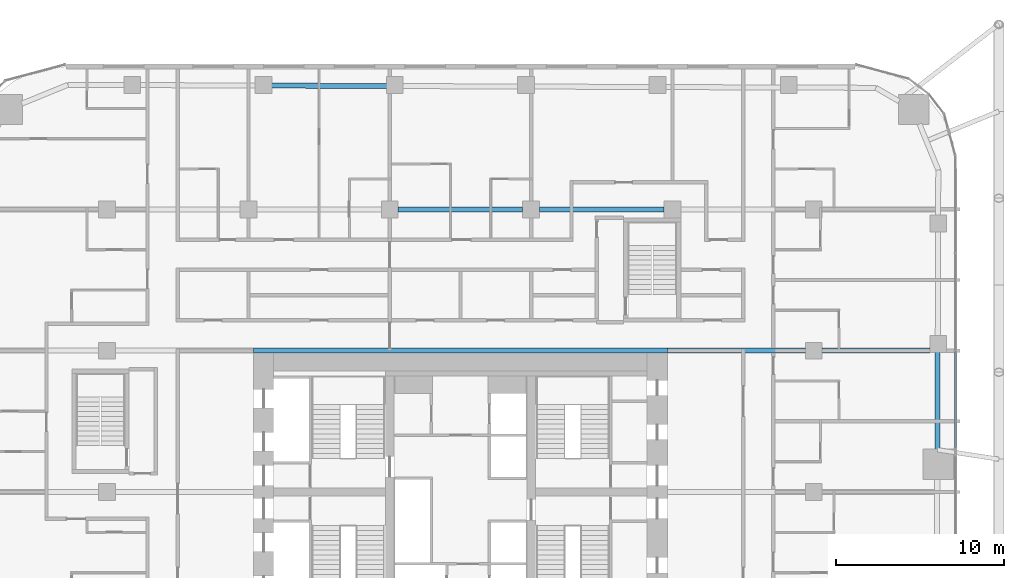
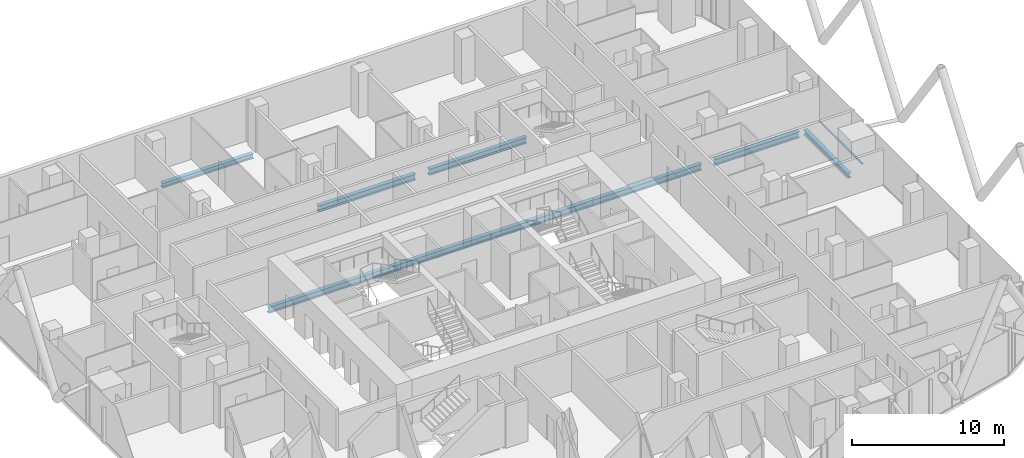
# One storey, part 11 of 38: 7 beams, 1 member, 1 element without a shape of its own.
"""IFC4 building model written with IfcOpenShell, lengths in metres."""

from ifc_helpers import new_model, si_unit, direction, frame, origin, origin_2d, place, context, subcontext, project, spatial, rectangle, i_section, extrude, material, layer, layer_set, material_profile, profile_set, type_object, element, aggregate, save


model = new_model("IFC4")

# Units and contexts
model_context = context("Model", 3, precision=1e-05, world=origin(), true_north=direction((0.0, 1.0)))
body_context = subcontext(model_context, "Body", "Model", "MODEL_VIEW")
ifc_project = project(units=[si_unit("LENGTHUNIT", "METRE"), si_unit("AREAUNIT", "SQUARE_METRE"), si_unit("VOLUMEUNIT", "CUBIC_METRE"), si_unit("PLANEANGLEUNIT", "RADIAN"), si_unit("MASSUNIT", "GRAM", prefix="KILO")], contexts=[model_context])

# Site, building, storey
site_placement = place(None, origin())
site = spatial("IfcSite", under=ifc_project, at=site_placement, CompositionType="ELEMENT")
building_placement = place(site_placement, origin())
building = spatial("IfcBuilding", under=site, at=building_placement, Name="Marenta Gate Hotel Tower", CompositionType="ELEMENT")
storey_placement = place(building_placement, frame((0.0, 0.0, 68.89990234375)))
storey = spatial("IfcBuildingStorey", under=building, at=storey_placement, Name="L15", CompositionType="ELEMENT", Elevation=68.89990234375)

# Beams
ifc_material_1 = material(Name="Steel S355", Category="steel")
ifc_material_profile_1 = material_profile(ifc_material_1, i_section(OverallWidth=0.300048828125, OverallDepth=0.39990234375, WebThickness=0.013427734375, FlangeThickness=0.02392578125, FilletRadius=0.027099609375, at=origin_2d()), Name="HEB 400")
ifc_profile_set_1 = profile_set([ifc_material_profile_1], Name="Steel S355")
beam_type_1 = type_object("IfcBeamType", Name="Edge beam HEB 400", PredefinedType="SPANDREL", material=ifc_profile_set_1)
beam_1_placement = place(storey_placement, frame((-11.244140625, 32.554931640625, -0.4599609375), z_axis=(0.999993064268, -0.003724435008, 0.0), x_axis=(0.003724435008, 0.999993064268, 0.0)))
element("IfcBeam", 1, at=beam_1_placement, inside=storey, type_object=beam_type_1, Name="L15-EB-15", PredefinedType="SPANDREL", context=body_context, shape_type="SweptSolid", body=[
    extrude(i_section(OverallWidth=0.300048828125, OverallDepth=0.39990234375, WebThickness=0.013427734375, FlangeThickness=0.02392578125, FilletRadius=0.027099609375, at=origin_2d()), origin(), (0.0, 0.0, 1.0), 6.8828125),
])
beam_2_placement = place(storey_placement, frame((28.364013671875, 16.7431640625, -0.4599609375), z_axis=(-0.003306389661, -0.999994533879, 0.0), x_axis=(0.999994533879, -0.003306389661, 0.0)))
element("IfcBeam", 2, at=beam_2_placement, inside=storey, type_object=beam_type_1, Name="L15-EB-24", PredefinedType="SPANDREL", context=body_context, shape_type="SweptSolid", body=[
    extrude(i_section(OverallWidth=0.300048828125, OverallDepth=0.39990234375, WebThickness=0.013427734375, FlangeThickness=0.02392578125, FilletRadius=0.027099609375, at=origin_2d()), origin(), (0.0, 0.0, 1.0), 5.833251953125),
])
ifc_material_2 = material(Name="Steel S355", Category="steel")
ifc_material_profile_2 = material_profile(ifc_material_2, i_section(OverallWidth=0.300048828125, OverallDepth=0.5, WebThickness=0.014404296875, FlangeThickness=0.028076171875, FilletRadius=0.027099609375, at=origin_2d()), Name="HEB 500")
ifc_profile_set_2 = profile_set([ifc_material_profile_2], Name="Steel S355")
beam_type_2 = type_object("IfcBeamType", Name="Girder HEB 500", PredefinedType="BEAM", material=ifc_profile_set_2)
beam_3_placement = place(storey_placement, frame((-12.300048828125, 16.800048828125, -0.510009765625), z_axis=(1.0, 0.0, 0.0), x_axis=(0.0, 1.0, 0.0)))
element("IfcBeam", 3, at=beam_3_placement, inside=storey, type_object=beam_type_2, Name="L15-GD-19", PredefinedType="BEAM", context=body_context, shape_type="SweptSolid", body=[
    extrude(i_section(OverallWidth=0.300048828125, OverallDepth=0.5, WebThickness=0.014404296875, FlangeThickness=0.028076171875, FilletRadius=0.027099609375, at=origin_2d()), origin(), (0.0, 0.0, 1.0), 24.60009765625),
])
beam_4_placement = place(storey_placement, frame((12.300048828125, 16.800048828125, -0.510009765625), z_axis=(1.0, 0.0, 0.0), x_axis=(0.0, 1.0, 0.0)))
element("IfcBeam", 4, at=beam_4_placement, inside=storey, type_object=beam_type_2, Name="L15-GD-20", PredefinedType="BEAM", context=body_context, shape_type="SweptSolid", body=[
    extrude(i_section(OverallWidth=0.300048828125, OverallDepth=0.5, WebThickness=0.014404296875, FlangeThickness=0.028076171875, FilletRadius=0.027099609375, at=origin_2d()), origin(), (0.0, 0.0, 1.0), 8.199951171875),
])
beam_5_placement = place(storey_placement, frame((21.5, 16.800048828125, -0.510009765625), z_axis=(1.0, 0.0, 0.0), x_axis=(0.0, 1.0, 0.0)))
element("IfcBeam", 5, at=beam_5_placement, inside=storey, type_object=beam_type_2, Name="L15-GD-21", PredefinedType="BEAM", context=body_context, shape_type="SweptSolid", body=[
    extrude(i_section(OverallWidth=0.300048828125, OverallDepth=0.5, WebThickness=0.014404296875, FlangeThickness=0.028076171875, FilletRadius=0.027099609375, at=origin_2d()), origin(), (0.0, 0.0, 1.0), 6.39990234375),
])
beam_6_placement = place(storey_placement, frame((-3.699951171875, 25.199951171875, -0.510009765625), z_axis=(1.0, 0.0, 0.0), x_axis=(0.0, 1.0, 0.0)))
element("IfcBeam", 6, at=beam_6_placement, inside=storey, type_object=beam_type_2, Name="L15-GD-25", PredefinedType="BEAM", context=body_context, shape_type="SweptSolid", body=[
    extrude(i_section(OverallWidth=0.300048828125, OverallDepth=0.5, WebThickness=0.014404296875, FlangeThickness=0.028076171875, FilletRadius=0.027099609375, at=origin_2d()), origin(), (0.0, 0.0, 1.0), 7.39990234375),
])
beam_7_placement = place(storey_placement, frame((4.699951171875, 25.199951171875, -0.510009765625), z_axis=(1.0, 0.0, 0.0), x_axis=(0.0, 1.0, 0.0)))
element("IfcBeam", 7, at=beam_7_placement, inside=storey, type_object=beam_type_2, Name="L15-GD-26", PredefinedType="BEAM", context=body_context, shape_type="SweptSolid", body=[
    extrude(i_section(OverallWidth=0.300048828125, OverallDepth=0.5, WebThickness=0.014404296875, FlangeThickness=0.028076171875, FilletRadius=0.027099609375, at=origin_2d()), origin(), (0.0, 0.0, 1.0), 7.400146484375),
])

# Curtain wall, member
ifc_material_3 = material(Name="Tinted insulated glass in bronze anodised frame", Category="glass")
ifc_layer = layer(ifc_material_3, 0.1201171875)
ifc_layer_set = layer_set([ifc_layer], Name="Tinted insulated glass in bronze anodised frame")
curtain_wall_type = type_object("IfcCurtainWallType", Name="Tower unitised curtain wall CW1", PredefinedType="NOTDEFINED", material=ifc_layer_set)
curtain_wall_placement = place(storey_placement, origin())
curtain_wall = element("IfcCurtainWall", 8, at=curtain_wall_placement, inside=storey, type_object=curtain_wall_type, Name="CW1 run G34", PredefinedType="NOTDEFINED")
ifc_material_4 = material(Name="Bronze anodised aluminium", Category="aluminium")
ifc_material_profile_3 = material_profile(ifc_material_4, rectangle(XDim=0.1201171875, YDim=0.06005859375, at=origin_2d()), Name="Transom CW1 60x120 bronze anodised aluminium")
ifc_profile_set_3 = profile_set([ifc_material_profile_3], Name="Bronze anodised aluminium")
member_type = type_object("IfcMemberType", Name="Transom CW1 60x120 bronze anodised aluminium", PredefinedType="USERDEFINED", material=ifc_profile_set_3)
member_placement = place(storey_placement, frame((29.4140625, 11.035400390625, 0.030029296875), z_axis=(0.0, 1.0, 0.0), x_axis=(-1.0, 0.0, 0.0)))
member = element("IfcMember", 9, at=member_placement, type_object=member_type, Name="CW1 transom 1.1", ObjectType="TRANSOM", PredefinedType="USERDEFINED", context=body_context, shape_type="SweptSolid", body=[
    extrude(rectangle(XDim=0.1201171875, YDim=0.06005859375, at=origin_2d()), origin(), (0.0, 0.0, 1.0), 5.71533203125),
])
aggregate(curtain_wall, [member])

save(model, "model.ifc")
